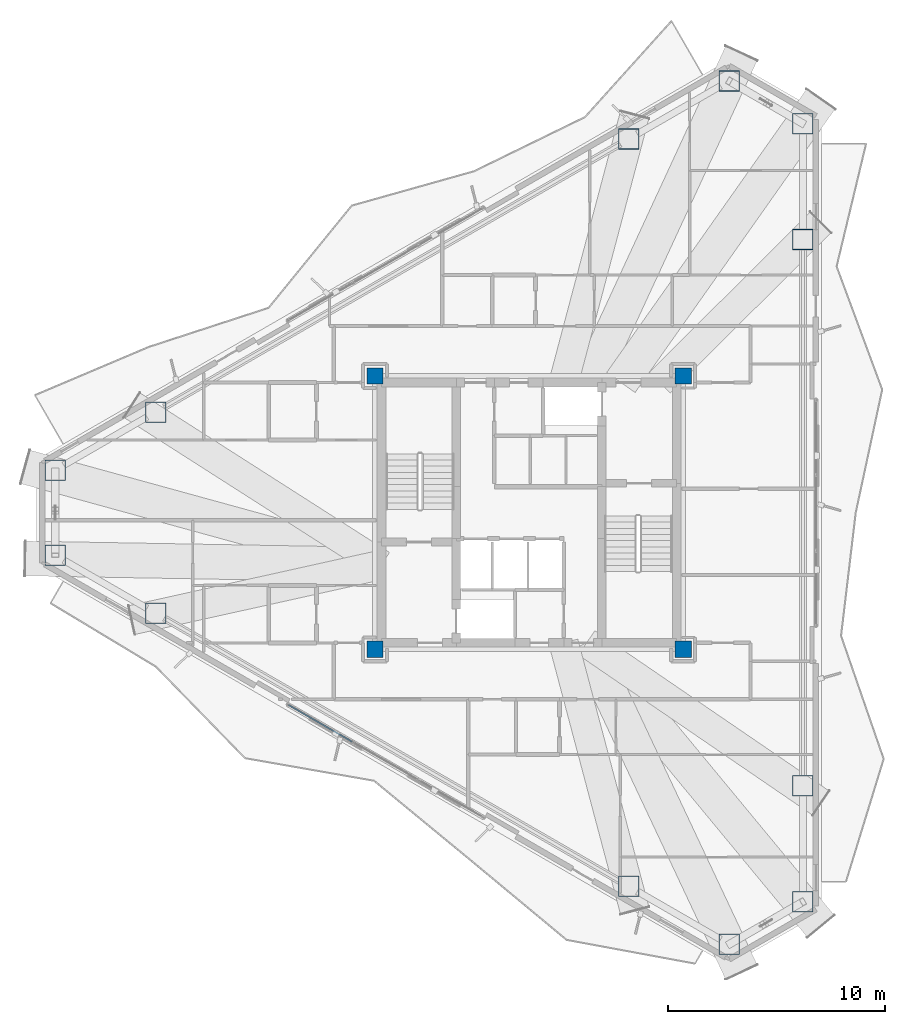
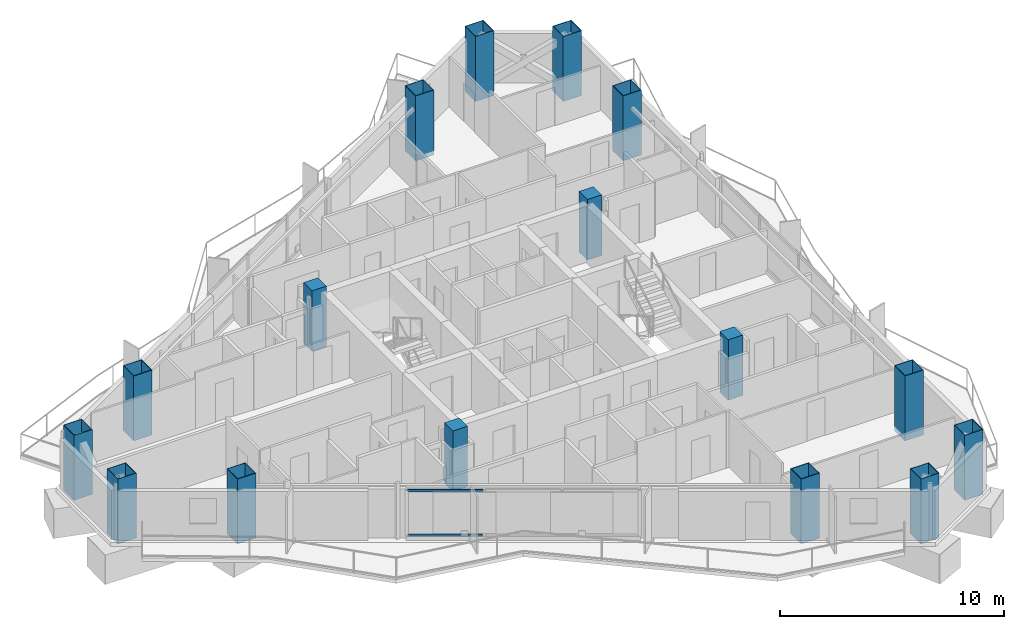
# One storey, part 1 of 21: 16 columns, 2 members, 1 element without a shape of its own.
"""IFC4 building model written with IfcOpenShell, lengths in metres."""

from ifc_helpers import new_model, si_unit, direction, frame, origin, origin_2d, place, context, subcontext, project, spatial, rectangle, hollow_rectangle, extrude, material, layer, layer_set, material_profile, profile_set, type_object, element, aggregate, save


model = new_model("IFC4")

# Units and contexts
model_context = context("Model", 3, precision=1e-05, world=origin(), true_north=direction((0.0, 1.0)))
body_context = subcontext(model_context, "Body", "Model", "MODEL_VIEW")
ifc_project = project(units=[si_unit("LENGTHUNIT", "METRE"), si_unit("AREAUNIT", "SQUARE_METRE"), si_unit("VOLUMEUNIT", "CUBIC_METRE"), si_unit("PLANEANGLEUNIT", "RADIAN"), si_unit("MASSUNIT", "GRAM", prefix="KILO")], contexts=[model_context])

# Site, building, storey
site_placement = place(None, origin())
site = spatial("IfcSite", under=ifc_project, at=site_placement, CompositionType="ELEMENT")
building_placement = place(site_placement, origin())
building = spatial("IfcBuilding", under=site, at=building_placement, Name="Mersakhor Tower and Convention Hall", CompositionType="ELEMENT")
storey_placement = place(building_placement, frame((0.0, 0.0, 121.199951171875)))
storey = spatial("IfcBuildingStorey", under=building, at=storey_placement, Name="L33", CompositionType="ELEMENT", Elevation=121.199951171875)

# Columns
ifc_material_1 = material(Name="Concrete C60/75 in S460M steel box", Category="concrete")
ifc_material_profile_1 = material_profile(ifc_material_1, hollow_rectangle(XDim=0.949951171875, YDim=0.949951171875, WallThickness=0.028076171875, at=origin_2d()), Name="SHS 950x950x28")
ifc_profile_set_1 = profile_set([ifc_material_profile_1], Name="Concrete C60/75 in S460M steel box")
column_type_1 = type_object("IfcColumnType", Name="COL-CFT-950", PredefinedType="COLUMN", material=ifc_profile_set_1)
for number, where, z_axis, x_axis, name in (
    (1, (7.160400390625, 28.71240234375, -0.239990234375), (0.0, 0.0, 1.0), (1.0, 0.0, 0.0), "L33 Perimeter Mega-Column MC-01"),
    (2, (11.788330078125, 31.38427734375, -0.239990234375), (0.0, 0.0, 1.0), (1.0, 0.0, 0.0), "L33 Perimeter Mega-Column MC-02"),
    (3, (33.592529296875, 43.972900390625, -0.239990234375), (0.0, 0.0, 1.0), (1.0, 0.0, 0.0), "L33 Perimeter Mega-Column MC-03"),
    (4, (38.220458984375, 46.644775390625, -0.239990234375), (0.0, 0.0, 1.0), (1.0, 0.0, 0.0), "L33 Perimeter Mega-Column MC-04"),
    (5, (41.619140625, 44.6826171875, -0.239990234375), (0.0, 0.0, 1.0), (1.0, 0.0, 0.0), "L33 Perimeter Mega-Column MC-05"),
    (6, (41.619140625, 39.338623046875, -0.239990234375), (0.0, 0.0, 1.0), (1.0, 0.0, 0.0), "L33 Perimeter Mega-Column MC-06"),
    (7, (41.619140625, 14.161376953125, -0.239990234375), (0.0, 0.0, 1.0), (1.0, 0.0, 0.0), "L33 Perimeter Mega-Column MC-07"),
    (8, (41.619140625, 8.8173828125, -0.239990234375), (0.0, 0.0, 1.0), (1.0, 0.0, 0.0), "L33 Perimeter Mega-Column MC-08"),
    (9, (38.220458984375, 6.855224609375, -0.239990234375), (0.0, 0.0, 1.0), (1.0, 0.0, 0.0), "L33 Perimeter Mega-Column MC-09"),
    (10, (33.592529296875, 9.527099609375, -0.239990234375), (0.0, 0.0, 1.0), (1.0, 0.0, 0.0), "L33 Perimeter Mega-Column MC-10"),
    (11, (11.788330078125, 22.11572265625, -0.239990234375), (0.0, 0.0, 1.0), (1.0, 0.0, 0.0), "L33 Perimeter Mega-Column MC-11"),
    (12, (7.160400390625, 24.78759765625, -0.239990234375), (0.0, 0.0, 1.0), (1.0, 0.0, 0.0), "L33 Perimeter Mega-Column MC-12"),
):
    element("IfcColumn", number, at=place(storey_placement, frame(where, z_axis=z_axis, x_axis=x_axis)), inside=storey, type_object=column_type_1, Name=name, PredefinedType="COLUMN", context=body_context, shape_type="SweptSolid", body=[
        extrude(hollow_rectangle(XDim=0.949951171875, YDim=0.949951171875, WallThickness=0.028076171875, at=origin_2d()), origin(), (0.0, 0.0, 1.0), 3.5400390625),
    ])
ifc_material_2 = material(Name="Concrete C50/60", Category="concrete")
ifc_material_profile_2 = material_profile(ifc_material_2, rectangle(XDim=0.75, YDim=0.75, at=origin_2d()), Name="RC 750x750")
ifc_profile_set_2 = profile_set([ifc_material_profile_2], Name="Concrete C50/60")
column_type_2 = type_object("IfcColumnType", Name="COL-RC-750", PredefinedType="COLUMN", material=ifc_profile_set_2)
for number, where, z_axis, x_axis, name in (
    (13, (21.89990234375, 20.449951171875, 0.0), (0.0, 0.0, 1.0), (1.0, 0.0, 0.0), "L33 Core Corner Column CC-1"),
    (14, (21.89990234375, 33.050048828125, 0.0), (0.0, 0.0, 1.0), (1.0, 0.0, 0.0), "L33 Core Corner Column CC-2"),
    (15, (36.10009765625, 33.050048828125, 0.0), (0.0, 0.0, 1.0), (1.0, 0.0, 0.0), "L33 Core Corner Column CC-3"),
    (16, (36.10009765625, 20.449951171875, 0.0), (0.0, 0.0, 1.0), (1.0, 0.0, 0.0), "L33 Core Corner Column CC-4"),
):
    element("IfcColumn", number, at=place(storey_placement, frame(where, z_axis=z_axis, x_axis=x_axis)), inside=storey, type_object=column_type_2, Name=name, PredefinedType="COLUMN", context=body_context, shape_type="SweptSolid", body=[
        extrude(rectangle(XDim=0.75, YDim=0.75, at=origin_2d()), origin(), (0.0, 0.0, 1.0), 3.300048828125),
    ])

# Curtain wall, members
ifc_material_3 = material(Name="Dark solar low-E aluminium curtain wall", Category="aluminium")
ifc_layer = layer(ifc_material_3, 0.169921875)
ifc_layer_set = layer_set([ifc_layer], Name="Dark solar low-E aluminium curtain wall")
curtain_wall_type = type_object("IfcCurtainWallType", Name="CW-SYS-02", PredefinedType="USERDEFINED", material=ifc_layer_set)
curtain_wall_placement = place(storey_placement, origin())
curtain_wall = element("IfcCurtainWall", 17, at=curtain_wall_placement, inside=storey, type_object=curtain_wall_type, Name="L33 Dark-Glass Curtain Wall F3-B2", ObjectType="CURTAIN WALL", PredefinedType="USERDEFINED")
ifc_material_4 = material(Name="Anodised aluminium EN AW-6063 T6", Category="aluminium")
ifc_material_profile_3 = material_profile(ifc_material_4, hollow_rectangle(XDim=0.06005859375, YDim=0.1201171875, WallThickness=0.0048828125, at=origin_2d()), Name="RHS 120x60x5")
ifc_profile_set_3 = profile_set([ifc_material_profile_3], Name="Anodised aluminium EN AW-6063 T6")
member_type = type_object("IfcMemberType", Name="CWT-120x60", PredefinedType="USERDEFINED", material=ifc_profile_set_3)
member_1_placement = place(storey_placement, frame((20.844482421875, 16.1943359375, 0.22998046875), z_axis=(-0.866031754707, 0.499988999718, 0.0), x_axis=(-0.499988999718, -0.866031754707, 0.0)))
member_1 = element("IfcMember", 18, at=member_1_placement, type_object=member_type, Name="CW-02 transom 3.1", ObjectType="TRANSOM", PredefinedType="USERDEFINED", context=body_context, shape_type="SweptSolid", body=[
    extrude(hollow_rectangle(XDim=0.06005859375, YDim=0.1201171875, WallThickness=0.0048828125, at=origin_2d()), origin(), (0.0, 0.0, 1.0), 3.3828125),
])
member_2_placement = place(storey_placement, frame((20.844482421875, 16.1943359375, 2.650146484375), z_axis=(-0.866031754707, 0.499988999718, 0.0), x_axis=(-0.499988999718, -0.866031754707, 0.0)))
member_2 = element("IfcMember", 19, at=member_2_placement, type_object=member_type, Name="CW-02 transom 3.2", ObjectType="TRANSOM", PredefinedType="USERDEFINED", context=body_context, shape_type="SweptSolid", body=[
    extrude(hollow_rectangle(XDim=0.06005859375, YDim=0.1201171875, WallThickness=0.0048828125, at=origin_2d()), origin(), (0.0, 0.0, 1.0), 3.3828125),
])
aggregate(curtain_wall, [member_1, member_2])

save(model, "model.ifc")
